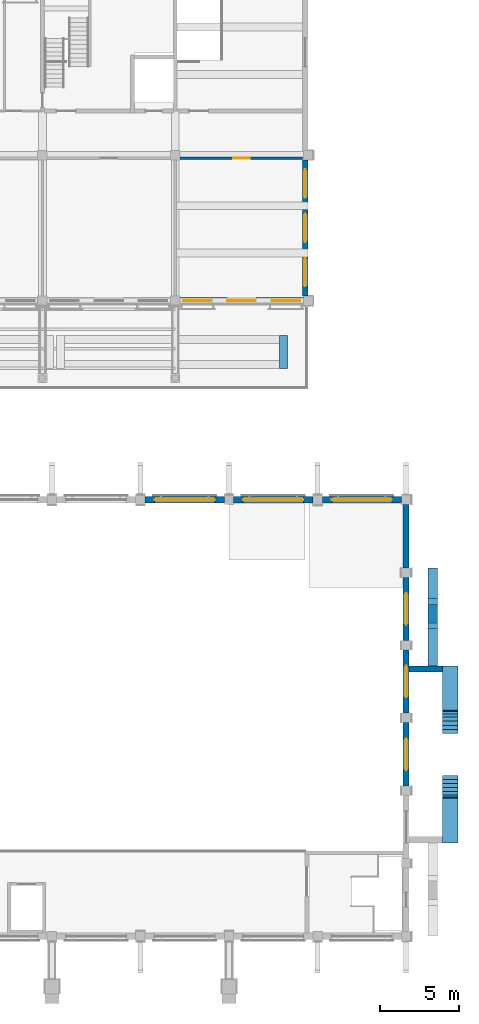
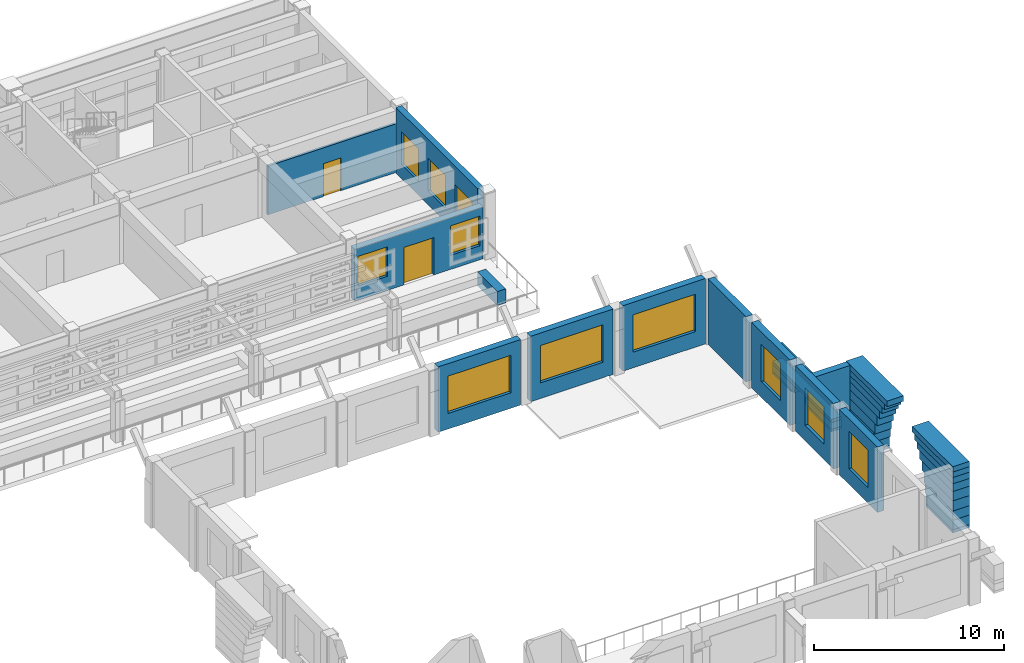
# One storey, part 32 of 68: 36 walls, 11 windows, 2 doors, 13 openings.
"""IFC4 building model written with IfcOpenShell, lengths in metres."""

from ifc_helpers import new_model, si_unit, direction, frame, frame_2d, origin, place, context, subcontext, project, spatial, rectangle, extrude, material, layer, layer_set, type_object, element, fill, save


model = new_model("IFC4")

# Units and contexts
model_context = context("Model", 3, precision=1e-05, world=origin(), true_north=direction((0.0, 1.0)))
body_context = subcontext(model_context, "Body", "Model", "MODEL_VIEW")
ifc_project = project(units=[si_unit("LENGTHUNIT", "METRE"), si_unit("AREAUNIT", "SQUARE_METRE"), si_unit("VOLUMEUNIT", "CUBIC_METRE"), si_unit("PLANEANGLEUNIT", "RADIAN"), si_unit("MASSUNIT", "GRAM", prefix="KILO")], contexts=[model_context])

# Site, building, storey
site_placement = place(None, origin())
site = spatial("IfcSite", under=ifc_project, at=site_placement, CompositionType="ELEMENT")
building_placement = place(site_placement, origin())
building = spatial("IfcBuilding", under=site, at=building_placement, Name="Wasatch Bagh Community Centre", CompositionType="ELEMENT")
storey_placement = place(building_placement, frame((0.0, 0.0, 8.39990234375)))
storey = spatial("IfcBuildingStorey", under=building, at=storey_placement, Name="L02", CompositionType="ELEMENT", Elevation=8.39990234375)

# Wall, openings, windows
ifc_material_1 = material(Name="Concrete C40", Category="concrete")
ifc_layer_1 = layer(ifc_material_1, 0.35009765625)
ifc_layer_set_1 = layer_set([ifc_layer_1], Name="Concrete C40")
wall_type_1 = type_object("IfcWallType", Name="LW end shear wall 350", PredefinedType="SHEAR", material=ifc_layer_set_1)
wall_1_placement = place(storey_placement, frame((139.425048828125, 87.300048828125, 0.0), z_axis=(0.0, 0.0, 1.0), x_axis=(0.0, -1.0, 0.0)))
wall_1 = element("IfcWall", 1, at=wall_1_placement, inside=storey, type_object=wall_type_1, Name="LW.swall.L02.25", PredefinedType="SHEAR", context=body_context, shape_type="SweptSolid", body=[
    extrude(rectangle(XDim=8.60009765625, YDim=0.35009765625, at=frame_2d((4.300048828125, 0.0))), origin(), (0.0, 0.0, 1.0), 4.2001953125),
])
opening_1_placement = place(wall_1_placement, frame((6.199951171875, 0.0, 0.89990234375)))
opening_1 = element("IfcOpeningElement", 2, at=opening_1_placement, cuts=wall_1, Name="Opening 2L-W030", PredefinedType="OPENING", context=body_context, shape_type="SweptSolid", body=[
    extrude(rectangle(XDim=1.800048828125, YDim=2.10009765625, at=frame_2d((0.89990234375, 1.050048828125))), frame((0.0, 0.18505859375, 0.0), z_axis=(0.0, -1.0, 0.0), x_axis=(1.0, 0.0, 0.0)), (0.0, 0.0, 1.0), 0.3701171875),
])
opening_2_placement = place(wall_1_placement, frame((3.39990234375, 0.0, 0.89990234375)))
opening_2 = element("IfcOpeningElement", 3, at=opening_2_placement, cuts=wall_1, Name="Opening 2L-W031", PredefinedType="OPENING", context=body_context, shape_type="SweptSolid", body=[
    extrude(rectangle(XDim=1.800048828125, YDim=2.10009765625, at=frame_2d((0.89990234375, 1.050048828125))), frame((0.0, 0.18505859375, 0.0), z_axis=(0.0, -1.0, 0.0), x_axis=(1.0, 0.0, 0.0)), (0.0, 0.0, 1.0), 0.3701171875),
])
opening_3_placement = place(wall_1_placement, frame((0.60009765625, 0.0, 0.89990234375)))
opening_3 = element("IfcOpeningElement", 4, at=opening_3_placement, cuts=wall_1, Name="Opening 2L-W032", PredefinedType="OPENING", context=body_context, shape_type="SweptSolid", body=[
    extrude(rectangle(XDim=1.800048828125, YDim=2.10009765625, at=frame_2d((0.89990234375, 1.050048828125))), frame((0.0, 0.18505859375, 0.0), z_axis=(0.0, -1.0, 0.0), x_axis=(1.0, 0.0, 0.0)), (0.0, 0.0, 1.0), 0.3701171875),
])
ifc_material_2 = material(Name="Aluminium framed double glazing", Category="aluminium")
window_type_1 = type_object("IfcWindowType", Name="LW window 1800x2100", PartitioningType="SINGLE_PANEL", PredefinedType="WINDOW", material=ifc_material_2)
window_1_placement = place(opening_1_placement, origin())
window_1 = element("IfcWindow", 5, at=window_1_placement, inside=storey, type_object=window_type_1, Name="Window 2L-W030", OverallHeight=2.10009765625, OverallWidth=1.800048828125, PartitioningType="SINGLE_PANEL", PredefinedType="WINDOW", context=body_context, shape_type="SweptSolid", body=[
    extrude(rectangle(XDim=1.800048828125, YDim=2.10009765625, at=frame_2d((0.89990234375, 1.050048828125))), frame((0.0, 0.030029296875, 0.0), z_axis=(0.0, -1.0, 0.0), x_axis=(1.0, 0.0, 0.0)), (0.0, 0.0, 1.0), 0.06005859375),
])
fill(opening_1, window_1)
window_2_placement = place(opening_2_placement, origin())
window_2 = element("IfcWindow", 6, at=window_2_placement, inside=storey, type_object=window_type_1, Name="Window 2L-W031", OverallHeight=2.10009765625, OverallWidth=1.800048828125, PartitioningType="SINGLE_PANEL", PredefinedType="WINDOW", context=body_context, shape_type="SweptSolid", body=[
    extrude(rectangle(XDim=1.800048828125, YDim=2.10009765625, at=frame_2d((0.89990234375, 1.050048828125))), frame((0.0, 0.030029296875, 0.0), z_axis=(0.0, -1.0, 0.0), x_axis=(1.0, 0.0, 0.0)), (0.0, 0.0, 1.0), 0.06005859375),
])
fill(opening_2, window_2)
window_3_placement = place(opening_3_placement, origin())
window_3 = element("IfcWindow", 7, at=window_3_placement, inside=storey, type_object=window_type_1, Name="Window 2L-W032", OverallHeight=2.10009765625, OverallWidth=1.800048828125, PartitioningType="SINGLE_PANEL", PredefinedType="WINDOW", context=body_context, shape_type="SweptSolid", body=[
    extrude(rectangle(XDim=1.800048828125, YDim=2.10009765625, at=frame_2d((0.89990234375, 1.050048828125))), frame((0.0, 0.030029296875, 0.0), z_axis=(0.0, -1.0, 0.0), x_axis=(1.0, 0.0, 0.0)), (0.0, 0.0, 1.0), 0.06005859375),
])
fill(opening_3, window_3)

# Wall, openings, door, windows
ifc_material_3 = material(Name="Concrete C35", Category="concrete")
ifc_layer_2 = layer(ifc_material_3, 0.39990234375)
ifc_layer_set_2 = layer_set([ifc_layer_2], Name="Concrete C35")
wall_type_2 = type_object("IfcWallType", Name="LW facade wall 400", PredefinedType="SOLIDWALL", material=ifc_layer_set_2)
wall_2_placement = place(storey_placement, frame((131.5, 78.39990234375, 0.0), z_axis=(0.0, 0.0, 1.0), x_axis=(1.0, 0.0, 0.0)))
wall_2 = element("IfcWall", 8, at=wall_2_placement, inside=storey, type_object=wall_type_2, Name="Facade wall", PredefinedType="SOLIDWALL", context=body_context, shape_type="SweptSolid", body=[
    extrude(rectangle(XDim=7.800048828125, YDim=0.39990234375, at=frame_2d((3.89990234375, 0.0))), origin(), (0.0, 0.0, 1.0), 3.320068359375),
])
opening_4_placement = place(wall_2_placement, frame((3.0, 0.0, 0.0)))
opening_4 = element("IfcOpeningElement", 9, at=opening_4_placement, cuts=wall_2, Name="Opening 2L-08", PredefinedType="OPENING", context=body_context, shape_type="SweptSolid", body=[
    extrude(rectangle(XDim=1.800048828125, YDim=2.39990234375, at=frame_2d((0.89990234375, 1.199951171875))), frame((0.0, 0.2099609375, 0.0), z_axis=(0.0, -1.0, 0.0), x_axis=(1.0, 0.0, 0.0)), (0.0, 0.0, 1.0), 0.419921875),
])
opening_5_placement = place(wall_2_placement, frame((0.199951171875, 0.0, 0.89990234375)))
opening_5 = element("IfcOpeningElement", 10, at=opening_5_placement, cuts=wall_2, Name="Opening 2L-W015", PredefinedType="OPENING", context=body_context, shape_type="SweptSolid", body=[
    extrude(rectangle(XDim=1.800048828125, YDim=1.89990234375, at=frame_2d((0.89990234375, 0.949951171875))), frame((0.0, 0.2099609375, 0.0), z_axis=(0.0, -1.0, 0.0), x_axis=(1.0, 0.0, 0.0)), (0.0, 0.0, 1.0), 0.419921875),
])
opening_6_placement = place(wall_2_placement, frame((5.800048828125, 0.0, 0.89990234375)))
opening_6 = element("IfcOpeningElement", 11, at=opening_6_placement, cuts=wall_2, Name="Opening 2L-W016", PredefinedType="OPENING", context=body_context, shape_type="SweptSolid", body=[
    extrude(rectangle(XDim=1.800048828125, YDim=1.89990234375, at=frame_2d((0.89990234375, 0.949951171875))), frame((0.0, 0.2099609375, 0.0), z_axis=(0.0, -1.0, 0.0), x_axis=(1.0, 0.0, 0.0)), (0.0, 0.0, 1.0), 0.419921875),
])
ifc_material_4 = material(Name="Aluminium framed glazed door", Category="aluminium")
door_type_1 = type_object("IfcDoorType", Name="LW terrace door pair 1800x2400", OperationType="DOUBLE_DOOR_SINGLE_SWING", PredefinedType="DOOR", material=ifc_material_4)
door_1_placement = place(opening_4_placement, origin())
door_1 = element("IfcDoor", 12, at=door_1_placement, inside=storey, type_object=door_type_1, Name="Terrace door 2L-08", OperationType="DOUBLE_DOOR_SINGLE_SWING", OverallHeight=2.39990234375, OverallWidth=1.800048828125, PredefinedType="DOOR", context=body_context, shape_type="SweptSolid", body=[
    extrude(rectangle(XDim=1.800048828125, YDim=2.39990234375, at=frame_2d((0.89990234375, 1.199951171875))), frame((0.0, 0.02490234375, 0.0), z_axis=(0.0, -1.0, 0.0), x_axis=(1.0, 0.0, 0.0)), (0.0, 0.0, 1.0), 0.050048828125),
])
fill(opening_4, door_1)
window_type_2 = type_object("IfcWindowType", Name="LW window 1800x1900", PartitioningType="SINGLE_PANEL", PredefinedType="WINDOW", material=ifc_material_2)
window_4_placement = place(opening_5_placement, origin())
window_4 = element("IfcWindow", 13, at=window_4_placement, inside=storey, type_object=window_type_2, Name="Window 2L-W015", OverallHeight=1.89990234375, OverallWidth=1.800048828125, PartitioningType="SINGLE_PANEL", PredefinedType="WINDOW", context=body_context, shape_type="SweptSolid", body=[
    extrude(rectangle(XDim=1.800048828125, YDim=1.89990234375, at=frame_2d((0.89990234375, 0.949951171875))), frame((0.0, 0.030029296875, 0.0), z_axis=(0.0, -1.0, 0.0), x_axis=(1.0, 0.0, 0.0)), (0.0, 0.0, 1.0), 0.06005859375),
])
fill(opening_5, window_4)
window_5_placement = place(opening_6_placement, origin())
window_5 = element("IfcWindow", 14, at=window_5_placement, inside=storey, type_object=window_type_2, Name="Window 2L-W016", OverallHeight=1.89990234375, OverallWidth=1.800048828125, PartitioningType="SINGLE_PANEL", PredefinedType="WINDOW", context=body_context, shape_type="SweptSolid", body=[
    extrude(rectangle(XDim=1.800048828125, YDim=1.89990234375, at=frame_2d((0.89990234375, 0.949951171875))), frame((0.0, 0.030029296875, 0.0), z_axis=(0.0, -1.0, 0.0), x_axis=(1.0, 0.0, 0.0)), (0.0, 0.0, 1.0), 0.06005859375),
])
fill(opening_6, window_5)

# Wall, opening, door
ifc_material_5 = material(Name="Gypsum board on steel studs", Category="steel")
ifc_layer_3 = layer(ifc_material_5, 0.14990234375)
ifc_layer_set_3 = layer_set([ifc_layer_3], Name="Gypsum board on steel studs")
wall_type_3 = type_object("IfcWallType", Name="LW partition 150", PredefinedType="PARTITIONING", material=ifc_layer_set_3)
wall_3_placement = place(storey_placement, frame((131.5, 87.39990234375, 0.0), z_axis=(0.0, 0.0, 1.0), x_axis=(1.0, 0.0, 0.0)))
wall_3 = element("IfcWall", 15, at=wall_3_placement, inside=storey, type_object=wall_type_3, Name="LW.part.L02.005", PredefinedType="PARTITIONING", context=body_context, shape_type="SweptSolid", body=[
    extrude(rectangle(XDim=7.75, YDim=0.14990234375, at=frame_2d((3.875, 0.0))), origin(), (0.0, 0.0, 1.0), 3.1201171875),
])
opening_7_placement = place(wall_3_placement, frame((3.375, 0.0, 0.0)))
opening_7 = element("IfcOpeningElement", 16, at=opening_7_placement, cuts=wall_3, Name="Opening 2L-16", PredefinedType="OPENING", context=body_context, shape_type="SweptSolid", body=[
    extrude(rectangle(XDim=1.050048828125, YDim=2.10009765625, at=frame_2d((0.52490234375, 1.050048828125))), frame((0.0, 0.0849609375, 0.0), z_axis=(0.0, -1.0, 0.0), x_axis=(1.0, 0.0, 0.0)), (0.0, 0.0, 1.0), 0.169921875),
])
ifc_material_6 = material(Name="Painted timber", Category="wood")
door_type_2 = type_object("IfcDoorType", Name="LW classroom door 1050x2100", OperationType="SINGLE_SWING_LEFT", PredefinedType="DOOR", material=ifc_material_6)
door_2_placement = place(opening_7_placement, origin())
door_2 = element("IfcDoor", 17, at=door_2_placement, inside=storey, type_object=door_type_2, Name="Door Classroom 8 2L-16", OperationType="SINGLE_SWING_RIGHT", OverallHeight=2.10009765625, OverallWidth=1.050048828125, PredefinedType="DOOR", context=body_context, shape_type="SweptSolid", body=[
    extrude(rectangle(XDim=1.050048828125, YDim=2.10009765625, at=frame_2d((0.52490234375, 1.050048828125))), frame((0.0, 0.02490234375, 0.0), z_axis=(0.0, -1.0, 0.0), x_axis=(1.0, 0.0, 0.0)), (0.0, 0.0, 1.0), 0.050048828125),
])
fill(opening_7, door_2)

# Wall
ifc_layer_4 = layer(ifc_material_3, 0.5)
ifc_layer_set_4 = layer_set([ifc_layer_4], Name="Concrete C35")
wall_type_4 = type_object("IfcWallType", Name="LW planter trough wall 500", PredefinedType="SOLIDWALL", material=ifc_layer_set_4)
wall_4_placement = place(storey_placement, frame((138.050048828125, 74.10009765625, 0.0), z_axis=(0.0, 0.0, 1.0), x_axis=(0.0, 1.0, 0.0)))
element("IfcWall", 18, at=wall_4_placement, inside=storey, type_object=wall_type_4, Name="Planter wall T2", PredefinedType="SOLIDWALL", context=body_context, shape_type="SweptSolid", body=[
    extrude(rectangle(XDim=2.099853515625, YDim=0.5, at=frame_2d((1.0498046875, 0.0))), origin(), (0.0, 0.0, 1.0), 0.900146484375),
])

# Wall, opening, window
ifc_layer_5 = layer(ifc_material_1, 0.39990234375)
ifc_layer_set_5 = layer_set([ifc_layer_5], Name="Concrete C40")
wall_type_5 = type_object("IfcWallType", Name="SH RC WALL 400 solidwall", PredefinedType="SOLIDWALL", material=ifc_layer_set_5)
wall_5_placement = place(storey_placement, frame((129.300048828125, 65.800048828125, 0.0), z_axis=(0.0, 0.0, 1.0), x_axis=(1.0, 0.0, 0.0)))
wall_5 = element("IfcWall", 19, at=wall_5_placement, inside=storey, type_object=wall_type_5, Name="SH.wall.L02.10", PredefinedType="SOLIDWALL", context=body_context, shape_type="SweptSolid", body=[
    extrude(rectangle(XDim=5.0, YDim=0.39990234375, at=frame_2d((2.5, 0.0))), origin(), (0.0, 0.0, 1.0), 4.2001953125),
])
opening_8_placement = place(wall_5_placement, frame((0.60009765625, 0.0, 1.0)))
opening_8 = element("IfcOpeningElement", 20, at=opening_8_placement, cuts=wall_5, Name="Opening 2S-W20", PredefinedType="OPENING", context=body_context, shape_type="SweptSolid", body=[
    extrude(rectangle(XDim=3.800048828125, YDim=2.39990234375, at=frame_2d((1.89990234375, 1.199951171875))), frame((0.0, 0.2099609375, 0.0), z_axis=(0.0, -1.0, 0.0), x_axis=(1.0, 0.0, 0.0)), (0.0, 0.0, 1.0), 0.419921875),
])
ifc_material_7 = material(Name="Aluminium frame with double glazing", Category="aluminium")
window_type_3 = type_object("IfcWindowType", Name="SH window 3800x2400", PartitioningType="SINGLE_PANEL", PredefinedType="WINDOW", material=ifc_material_7)
window_6_placement = place(opening_8_placement, origin())
window_6 = element("IfcWindow", 21, at=window_6_placement, inside=storey, type_object=window_type_3, Name="SH.window.L02.2S-W20", OverallHeight=2.39990234375, OverallWidth=3.800048828125, PartitioningType="SINGLE_PANEL", PredefinedType="WINDOW", context=body_context, shape_type="SweptSolid", body=[
    extrude(rectangle(XDim=3.800048828125, YDim=2.39990234375, at=frame_2d((1.89990234375, 1.199951171875))), frame((0.0, 0.030029296875, 0.0), z_axis=(0.0, -1.0, 0.0), x_axis=(1.0, 0.0, 0.0)), (0.0, 0.0, 1.0), 0.06005859375),
])
fill(opening_8, window_6)

wall_6_placement = place(storey_placement, frame((134.89990234375, 65.800048828125, 0.0), z_axis=(0.0, 0.0, 1.0), x_axis=(1.0, 0.0, 0.0)))
wall_6 = element("IfcWall", 22, at=wall_6_placement, inside=storey, type_object=wall_type_5, Name="SH.wall.L02.11", PredefinedType="SOLIDWALL", context=body_context, shape_type="SweptSolid", body=[
    extrude(rectangle(XDim=5.0, YDim=0.39990234375, at=frame_2d((2.5, 0.0))), origin(), (0.0, 0.0, 1.0), 4.2001953125),
])
opening_9_placement = place(wall_6_placement, frame((0.60009765625, 0.0, 1.0)))
opening_9 = element("IfcOpeningElement", 23, at=opening_9_placement, cuts=wall_6, Name="Opening 2S-W21", PredefinedType="OPENING", context=body_context, shape_type="SweptSolid", body=[
    extrude(rectangle(XDim=3.800048828125, YDim=2.39990234375, at=frame_2d((1.89990234375, 1.199951171875))), frame((0.0, 0.2099609375, 0.0), z_axis=(0.0, -1.0, 0.0), x_axis=(1.0, 0.0, 0.0)), (0.0, 0.0, 1.0), 0.419921875),
])
window_7_placement = place(opening_9_placement, origin())
window_7 = element("IfcWindow", 24, at=window_7_placement, inside=storey, type_object=window_type_3, Name="SH.window.L02.2S-W21", OverallHeight=2.39990234375, OverallWidth=3.800048828125, PartitioningType="SINGLE_PANEL", PredefinedType="WINDOW", context=body_context, shape_type="SweptSolid", body=[
    extrude(rectangle(XDim=3.800048828125, YDim=2.39990234375, at=frame_2d((1.89990234375, 1.199951171875))), frame((0.0, 0.030029296875, 0.0), z_axis=(0.0, -1.0, 0.0), x_axis=(1.0, 0.0, 0.0)), (0.0, 0.0, 1.0), 0.06005859375),
])
fill(opening_9, window_7)

wall_7_placement = place(storey_placement, frame((140.5, 65.800048828125, 0.0), z_axis=(0.0, 0.0, 1.0), x_axis=(1.0, 0.0, 0.0)))
wall_7 = element("IfcWall", 25, at=wall_7_placement, inside=storey, type_object=wall_type_5, Name="SH.wall.L02.12", PredefinedType="SOLIDWALL", context=body_context, shape_type="SweptSolid", body=[
    extrude(rectangle(XDim=5.0, YDim=0.39990234375, at=frame_2d((2.5, 0.0))), origin(), (0.0, 0.0, 1.0), 4.2001953125),
])
opening_10_placement = place(wall_7_placement, frame((0.60009765625, 0.0, 1.0)))
opening_10 = element("IfcOpeningElement", 26, at=opening_10_placement, cuts=wall_7, Name="Opening 2S-W22", PredefinedType="OPENING", context=body_context, shape_type="SweptSolid", body=[
    extrude(rectangle(XDim=3.800048828125, YDim=2.39990234375, at=frame_2d((1.89990234375, 1.199951171875))), frame((0.0, 0.2099609375, 0.0), z_axis=(0.0, -1.0, 0.0), x_axis=(1.0, 0.0, 0.0)), (0.0, 0.0, 1.0), 0.419921875),
])
window_8_placement = place(opening_10_placement, origin())
window_8 = element("IfcWindow", 27, at=window_8_placement, inside=storey, type_object=window_type_3, Name="SH.window.L02.2S-W22", OverallHeight=2.39990234375, OverallWidth=3.800048828125, PartitioningType="SINGLE_PANEL", PredefinedType="WINDOW", context=body_context, shape_type="SweptSolid", body=[
    extrude(rectangle(XDim=3.800048828125, YDim=2.39990234375, at=frame_2d((1.89990234375, 1.199951171875))), frame((0.0, 0.030029296875, 0.0), z_axis=(0.0, -1.0, 0.0), x_axis=(1.0, 0.0, 0.0)), (0.0, 0.0, 1.0), 0.06005859375),
])
fill(opening_10, window_8)

wall_8_placement = place(storey_placement, frame((145.800048828125, 47.699951171875, 0.0), z_axis=(0.0, 0.0, 1.0), x_axis=(0.0, 1.0, 0.0)))
wall_8 = element("IfcWall", 28, at=wall_8_placement, inside=storey, type_object=wall_type_5, Name="SH.wall.L02.21", PredefinedType="SOLIDWALL", context=body_context, shape_type="SweptSolid", body=[
    extrude(rectangle(XDim=4.0, YDim=0.39990234375, at=frame_2d((2.0, 0.0))), origin(), (0.0, 0.0, 1.0), 4.2001953125),
])
opening_11_placement = place(wall_8_placement, frame((1.0, 0.0, 1.0)))
opening_11 = element("IfcOpeningElement", 29, at=opening_11_placement, cuts=wall_8, Name="Opening 2S-W08", PredefinedType="OPENING", context=body_context, shape_type="SweptSolid", body=[
    extrude(rectangle(XDim=2.0, YDim=2.39990234375, at=frame_2d((1.0, 1.199951171875))), frame((0.0, 0.2099609375, 0.0), z_axis=(0.0, -1.0, 0.0), x_axis=(1.0, 0.0, 0.0)), (0.0, 0.0, 1.0), 0.419921875),
])
window_type_4 = type_object("IfcWindowType", Name="SH window 2000x2400", PartitioningType="SINGLE_PANEL", PredefinedType="WINDOW", material=ifc_material_7)
window_9_placement = place(opening_11_placement, origin())
window_9 = element("IfcWindow", 30, at=window_9_placement, inside=storey, type_object=window_type_4, Name="SH.window.L02.2S-W08", OverallHeight=2.39990234375, OverallWidth=2.0, PartitioningType="SINGLE_PANEL", PredefinedType="WINDOW", context=body_context, shape_type="SweptSolid", body=[
    extrude(rectangle(XDim=2.0, YDim=2.39990234375, at=frame_2d((1.0, 1.199951171875))), frame((0.0, 0.030029296875, 0.0), z_axis=(0.0, -1.0, 0.0), x_axis=(1.0, 0.0, 0.0)), (0.0, 0.0, 1.0), 0.06005859375),
])
fill(opening_11, window_9)

wall_9_placement = place(storey_placement, frame((145.800048828125, 52.300048828125, 0.0), z_axis=(0.0, 0.0, 1.0), x_axis=(0.0, 1.0, 0.0)))
wall_9 = element("IfcWall", 31, at=wall_9_placement, inside=storey, type_object=wall_type_5, Name="SH.wall.L02.22", PredefinedType="SOLIDWALL", context=body_context, shape_type="SweptSolid", body=[
    extrude(rectangle(XDim=4.0, YDim=0.39990234375, at=frame_2d((2.0, 0.0))), origin(), (0.0, 0.0, 1.0), 4.2001953125),
])
opening_12_placement = place(wall_9_placement, frame((1.0, 0.0, 1.0)))
opening_12 = element("IfcOpeningElement", 32, at=opening_12_placement, cuts=wall_9, Name="Opening 2S-W09", PredefinedType="OPENING", context=body_context, shape_type="SweptSolid", body=[
    extrude(rectangle(XDim=2.0, YDim=2.39990234375, at=frame_2d((1.0, 1.199951171875))), frame((0.0, 0.2099609375, 0.0), z_axis=(0.0, -1.0, 0.0), x_axis=(1.0, 0.0, 0.0)), (0.0, 0.0, 1.0), 0.419921875),
])
window_10_placement = place(opening_12_placement, origin())
window_10 = element("IfcWindow", 33, at=window_10_placement, inside=storey, type_object=window_type_4, Name="SH.window.L02.2S-W09", OverallHeight=2.39990234375, OverallWidth=2.0, PartitioningType="SINGLE_PANEL", PredefinedType="WINDOW", context=body_context, shape_type="SweptSolid", body=[
    extrude(rectangle(XDim=2.0, YDim=2.39990234375, at=frame_2d((1.0, 1.199951171875))), frame((0.0, 0.030029296875, 0.0), z_axis=(0.0, -1.0, 0.0), x_axis=(1.0, 0.0, 0.0)), (0.0, 0.0, 1.0), 0.06005859375),
])
fill(opening_12, window_10)

wall_10_placement = place(storey_placement, frame((145.800048828125, 56.89990234375, 0.0), z_axis=(0.0, 0.0, 1.0), x_axis=(0.0, 1.0, 0.0)))
wall_10 = element("IfcWall", 34, at=wall_10_placement, inside=storey, type_object=wall_type_5, Name="SH.wall.L02.23", PredefinedType="SOLIDWALL", context=body_context, shape_type="SweptSolid", body=[
    extrude(rectangle(XDim=4.0, YDim=0.39990234375, at=frame_2d((2.0, 0.0))), origin(), (0.0, 0.0, 1.0), 4.2001953125),
])
opening_13_placement = place(wall_10_placement, frame((1.0, 0.0, 1.0)))
opening_13 = element("IfcOpeningElement", 35, at=opening_13_placement, cuts=wall_10, Name="Opening 2S-W10", PredefinedType="OPENING", context=body_context, shape_type="SweptSolid", body=[
    extrude(rectangle(XDim=2.0, YDim=2.39990234375, at=frame_2d((1.0, 1.199951171875))), frame((0.0, 0.2099609375, 0.0), z_axis=(0.0, -1.0, 0.0), x_axis=(1.0, 0.0, 0.0)), (0.0, 0.0, 1.0), 0.419921875),
])
window_11_placement = place(opening_13_placement, origin())
window_11 = element("IfcWindow", 36, at=window_11_placement, inside=storey, type_object=window_type_4, Name="SH.window.L02.2S-W10", OverallHeight=2.39990234375, OverallWidth=2.0, PartitioningType="SINGLE_PANEL", PredefinedType="WINDOW", context=body_context, shape_type="SweptSolid", body=[
    extrude(rectangle(XDim=2.0, YDim=2.39990234375, at=frame_2d((1.0, 1.199951171875))), frame((0.0, 0.030029296875, 0.0), z_axis=(0.0, -1.0, 0.0), x_axis=(1.0, 0.0, 0.0)), (0.0, 0.0, 1.0), 0.06005859375),
])
fill(opening_13, window_11)

# Walls
wall_11_placement = place(storey_placement, frame((145.800048828125, 61.5, 0.0), z_axis=(0.0, 0.0, 1.0), x_axis=(0.0, 1.0, 0.0)))
element("IfcWall", 37, at=wall_11_placement, inside=storey, type_object=wall_type_5, Name="SH.wall.L02.24", PredefinedType="SOLIDWALL", context=body_context, shape_type="SweptSolid", body=[
    extrude(rectangle(XDim=4.0, YDim=0.39990234375, at=frame_2d((2.0, 0.0))), origin(), (0.0, 0.0, 1.0), 4.2001953125),
])
ifc_layer_6 = layer(ifc_material_1, 0.60009765625)
ifc_layer_set_6 = layer_set([ifc_layer_6], Name="Concrete C40")
wall_type_6 = type_object("IfcWallType", Name="SHB-W4", PredefinedType="STANDARD", material=ifc_layer_set_6)
wall_12_placement = place(storey_placement, frame((147.5, 55.300048828125, 0.0), z_axis=(0.0, 0.0, 1.0), x_axis=(0.0, 1.0, 0.0)))
element("IfcWall", 38, at=wall_12_placement, inside=storey, type_object=wall_type_6, Name="SHB-W4 gable arcade bay arch spandrel", PredefinedType="STANDARD", context=body_context, shape_type="SweptSolid", body=[
    extrude(rectangle(XDim=2.353271484375, YDim=0.60009765625, at=frame_2d((1.1767578125, 0.0))), origin(), (0.0, 0.0, 1.0), 0.150146484375),
])
wall_13_placement = place(storey_placement, frame((147.5, 61.5, 0.0), z_axis=(0.0, 0.0, 1.0), x_axis=(0.0, -1.0, 0.0)))
element("IfcWall", 39, at=wall_13_placement, inside=storey, type_object=wall_type_6, Name="SHB-W4 gable arcade bay arch spandrel", PredefinedType="STANDARD", context=body_context, shape_type="SweptSolid", body=[
    extrude(rectangle(XDim=1.953369140625, YDim=0.60009765625, at=frame_2d((0.9765625, 0.0))), origin(), (0.0, 0.0, 1.0), 0.150146484375),
])
wall_14_placement = place(storey_placement, frame((147.5, 55.300048828125, 0.150146484375), z_axis=(0.0, 0.0, 1.0), x_axis=(0.0, 1.0, 0.0)))
element("IfcWall", 40, at=wall_14_placement, inside=storey, type_object=wall_type_6, Name="SHB-W4 gable arcade bay arch spandrel", PredefinedType="STANDARD", context=body_context, shape_type="SweptSolid", body=[
    extrude(rectangle(XDim=2.715087890625, YDim=0.60009765625, at=frame_2d((1.357421875, 0.0))), origin(), (0.0, 0.0, 1.0), 0.449951171875),
])
wall_15_placement = place(storey_placement, frame((147.5, 61.5, 0.150146484375), z_axis=(0.0, 0.0, 1.0), x_axis=(0.0, -1.0, 0.0)))
element("IfcWall", 41, at=wall_15_placement, inside=storey, type_object=wall_type_6, Name="SHB-W4 gable arcade bay arch spandrel", PredefinedType="STANDARD", context=body_context, shape_type="SweptSolid", body=[
    extrude(rectangle(XDim=2.31494140625, YDim=0.60009765625, at=frame_2d((1.157470703125, 0.0))), origin(), (0.0, 0.0, 1.0), 0.449951171875),
])
wall_16_placement = place(storey_placement, frame((147.5, 55.300048828125, 0.60009765625), z_axis=(0.0, 0.0, 1.0), x_axis=(0.0, 1.0, 0.0)))
element("IfcWall", 42, at=wall_16_placement, inside=storey, type_object=wall_type_6, Name="SHB-W4 gable arcade bay arch spandrel", PredefinedType="STANDARD", context=body_context, shape_type="SweptSolid", body=[
    extrude(rectangle(XDim=6.199951171875, YDim=0.60009765625, at=frame_2d((3.10009765625, 0.0))), origin(), (0.0, 0.0, 1.0), 0.199951171875),
])
wall_17_placement = place(storey_placement, frame((147.5, 55.300048828125, 0.800048828125), z_axis=(0.0, 0.0, 1.0), x_axis=(0.0, 1.0, 0.0)))
element("IfcWall", 43, at=wall_17_placement, inside=storey, type_object=wall_type_6, Name="SHB-W4 gable arcade bay arch band", PredefinedType="STANDARD", context=body_context, shape_type="SweptSolid", body=[
    extrude(rectangle(XDim=6.199951171875, YDim=0.60009765625, at=frame_2d((3.10009765625, 0.0))), origin(), (0.0, 0.0, 1.0), 1.0),
])
ifc_layer_7 = layer(ifc_material_1, 1.0)
ifc_layer_set_7 = layer_set([ifc_layer_7], Name="Concrete C40")
wall_type_7 = type_object("IfcWallType", Name="SHEQ-W4", PredefinedType="STANDARD", material=ifc_layer_set_7)
wall_18_placement = place(storey_placement, frame((148.60009765625, 55.300048828125, 0.0), z_axis=(0.0, 0.0, 1.0), x_axis=(0.0, -1.0, 0.0)))
element("IfcWall", 44, at=wall_18_placement, inside=storey, type_object=wall_type_7, Name="SHEQ-W4 iwan arch spandrel", PredefinedType="STANDARD", context=body_context, shape_type="SweptSolid", body=[
    extrude(rectangle(XDim=2.800048828125, YDim=1.0, at=frame_2d((1.39990234375, 0.0))), origin(), (0.0, 0.0, 1.0), 0.2001953125),
])
wall_19_placement = place(storey_placement, frame((148.60009765625, 44.10009765625, 0.0), z_axis=(0.0, 0.0, 1.0), x_axis=(0.0, 1.0, 0.0)))
element("IfcWall", 45, at=wall_19_placement, inside=storey, type_object=wall_type_7, Name="SHEQ-W4 iwan arch spandrel", PredefinedType="STANDARD", context=body_context, shape_type="SweptSolid", body=[
    extrude(rectangle(XDim=2.7998046875, YDim=1.0, at=frame_2d((1.39990234375, 0.0))), origin(), (0.0, 0.0, 1.0), 0.2001953125),
])
wall_20_placement = place(storey_placement, frame((148.60009765625, 55.300048828125, 0.2001953125), z_axis=(0.0, 0.0, 1.0), x_axis=(0.0, -1.0, 0.0)))
element("IfcWall", 46, at=wall_20_placement, inside=storey, type_object=wall_type_7, Name="SHEQ-W4 iwan arch spandrel", PredefinedType="STANDARD", context=body_context, shape_type="SweptSolid", body=[
    extrude(rectangle(XDim=2.825927734375, YDim=1.0, at=frame_2d((1.4130859375, 0.0))), origin(), (0.0, 0.0, 1.0), 0.599853515625),
])
wall_21_placement = place(storey_placement, frame((148.60009765625, 44.10009765625, 0.2001953125), z_axis=(0.0, 0.0, 1.0), x_axis=(0.0, 1.0, 0.0)))
element("IfcWall", 47, at=wall_21_placement, inside=storey, type_object=wall_type_7, Name="SHEQ-W4 iwan arch spandrel", PredefinedType="STANDARD", context=body_context, shape_type="SweptSolid", body=[
    extrude(rectangle(XDim=2.82568359375, YDim=1.0, at=frame_2d((1.412841796875, 0.0))), origin(), (0.0, 0.0, 1.0), 0.599853515625),
])
for number, where, z_axis, x_axis, name in (
    (48, (148.60009765625, 55.300048828125, 0.800048828125), (0.0, 0.0, 1.0), (0.0, -1.0, 0.0), "SHEQ-W4 iwan arch spandrel"),
    (49, (148.60009765625, 44.10009765625, 0.800048828125), (0.0, 0.0, 1.0), (0.0, 1.0, 0.0), "SHEQ-W4 iwan arch spandrel"),
):
    element("IfcWall", number, at=place(storey_placement, frame(where, z_axis=z_axis, x_axis=x_axis)), inside=storey, type_object=wall_type_7, Name=name, PredefinedType="STANDARD", context=body_context, shape_type="SweptSolid", body=[
        extrude(rectangle(XDim=2.903564453125, YDim=1.0, at=frame_2d((1.45166015625, 0.0))), origin(), (0.0, 0.0, 1.0), 0.60009765625),
    ])
for number, where, z_axis, x_axis, name in (
    (50, (148.60009765625, 55.300048828125, 1.400146484375), (0.0, 0.0, 1.0), (0.0, -1.0, 0.0), "SHEQ-W4 iwan arch spandrel"),
    (51, (148.60009765625, 44.10009765625, 1.400146484375), (0.0, 0.0, 1.0), (0.0, 1.0, 0.0), "SHEQ-W4 iwan arch spandrel"),
):
    element("IfcWall", number, at=place(storey_placement, frame(where, z_axis=z_axis, x_axis=x_axis)), inside=storey, type_object=wall_type_7, Name=name, PredefinedType="STANDARD", context=body_context, shape_type="SweptSolid", body=[
        extrude(rectangle(XDim=3.035400390625, YDim=1.0, at=frame_2d((1.517578125, 0.0))), origin(), (0.0, 0.0, 1.0), 0.64990234375),
    ])
wall_22_placement = place(storey_placement, frame((148.60009765625, 55.300048828125, 2.050048828125), z_axis=(0.0, 0.0, 1.0), x_axis=(0.0, -1.0, 0.0)))
element("IfcWall", 52, at=wall_22_placement, inside=storey, type_object=wall_type_7, Name="SHEQ-W4 iwan arch spandrel", PredefinedType="STANDARD", context=body_context, shape_type="SweptSolid", body=[
    extrude(rectangle(XDim=3.242919921875, YDim=1.0, at=frame_2d((1.62158203125, 0.0))), origin(), (0.0, 0.0, 1.0), 0.60009765625),
])
wall_23_placement = place(storey_placement, frame((148.60009765625, 44.10009765625, 2.050048828125), z_axis=(0.0, 0.0, 1.0), x_axis=(0.0, 1.0, 0.0)))
element("IfcWall", 53, at=wall_23_placement, inside=storey, type_object=wall_type_7, Name="SHEQ-W4 iwan arch spandrel", PredefinedType="STANDARD", context=body_context, shape_type="SweptSolid", body=[
    extrude(rectangle(XDim=3.24267578125, YDim=1.0, at=frame_2d((1.621337890625, 0.0))), origin(), (0.0, 0.0, 1.0), 0.60009765625),
])
wall_24_placement = place(storey_placement, frame((148.60009765625, 55.300048828125, 2.650146484375), z_axis=(0.0, 0.0, 1.0), x_axis=(0.0, -1.0, 0.0)))
element("IfcWall", 54, at=wall_24_placement, inside=storey, type_object=wall_type_7, Name="SHEQ-W4 iwan arch spandrel", PredefinedType="STANDARD", context=body_context, shape_type="SweptSolid", body=[
    extrude(rectangle(XDim=3.49951171875, YDim=1.0, at=frame_2d((1.749755859375, 0.0))), origin(), (0.0, 0.0, 1.0), 0.5),
])
wall_25_placement = place(storey_placement, frame((148.60009765625, 44.10009765625, 2.650146484375), z_axis=(0.0, 0.0, 1.0), x_axis=(0.0, 1.0, 0.0)))
element("IfcWall", 55, at=wall_25_placement, inside=storey, type_object=wall_type_7, Name="SHEQ-W4 iwan arch spandrel", PredefinedType="STANDARD", context=body_context, shape_type="SweptSolid", body=[
    extrude(rectangle(XDim=3.499267578125, YDim=1.0, at=frame_2d((1.74951171875, 0.0))), origin(), (0.0, 0.0, 1.0), 0.5),
])
wall_26_placement = place(storey_placement, frame((148.60009765625, 55.300048828125, 3.150146484375), z_axis=(0.0, 0.0, 1.0), x_axis=(0.0, -1.0, 0.0)))
element("IfcWall", 56, at=wall_26_placement, inside=storey, type_object=wall_type_7, Name="SHEQ-W4 iwan arch spandrel", PredefinedType="STANDARD", context=body_context, shape_type="SweptSolid", body=[
    extrude(rectangle(XDim=3.76708984375, YDim=1.0, at=frame_2d((1.883544921875, 0.0))), origin(), (0.0, 0.0, 1.0), 0.39990234375),
])
wall_27_placement = place(storey_placement, frame((148.60009765625, 44.10009765625, 3.150146484375), z_axis=(0.0, 0.0, 1.0), x_axis=(0.0, 1.0, 0.0)))
element("IfcWall", 57, at=wall_27_placement, inside=storey, type_object=wall_type_7, Name="SHEQ-W4 iwan arch spandrel", PredefinedType="STANDARD", context=body_context, shape_type="SweptSolid", body=[
    extrude(rectangle(XDim=3.766845703125, YDim=1.0, at=frame_2d((1.88330078125, 0.0))), origin(), (0.0, 0.0, 1.0), 0.39990234375),
])
wall_28_placement = place(storey_placement, frame((148.60009765625, 55.300048828125, 3.550048828125), z_axis=(0.0, 0.0, 1.0), x_axis=(0.0, -1.0, 0.0)))
element("IfcWall", 58, at=wall_28_placement, inside=storey, type_object=wall_type_7, Name="SHEQ-W4 iwan arch spandrel", PredefinedType="STANDARD", context=body_context, shape_type="SweptSolid", body=[
    extrude(rectangle(XDim=4.02099609375, YDim=1.0, at=frame_2d((2.010498046875, 0.0))), origin(), (0.0, 0.0, 1.0), 0.35009765625),
])
wall_29_placement = place(storey_placement, frame((148.60009765625, 44.10009765625, 3.550048828125), z_axis=(0.0, 0.0, 1.0), x_axis=(0.0, 1.0, 0.0)))
element("IfcWall", 59, at=wall_29_placement, inside=storey, type_object=wall_type_7, Name="SHEQ-W4 iwan arch spandrel", PredefinedType="STANDARD", context=body_context, shape_type="SweptSolid", body=[
    extrude(rectangle(XDim=4.020751953125, YDim=1.0, at=frame_2d((2.01025390625, 0.0))), origin(), (0.0, 0.0, 1.0), 0.35009765625),
])
for number, where, z_axis, x_axis, name in (
    (60, (148.60009765625, 55.300048828125, 3.900146484375), (0.0, 0.0, 1.0), (0.0, -1.0, 0.0), "SHEQ-W4 iwan arch spandrel"),
    (61, (148.60009765625, 44.10009765625, 3.900146484375), (0.0, 0.0, 1.0), (0.0, 1.0, 0.0), "SHEQ-W4 iwan arch spandrel"),
):
    element("IfcWall", number, at=place(storey_placement, frame(where, z_axis=z_axis, x_axis=x_axis)), inside=storey, type_object=wall_type_7, Name=name, PredefinedType="STANDARD", context=body_context, shape_type="SweptSolid", body=[
        extrude(rectangle(XDim=4.2763671875, YDim=1.0, at=frame_2d((2.13818359375, 0.0))), origin(), (0.0, 0.0, 1.0), 0.349853515625),
    ])
ifc_layer_8 = layer(ifc_material_1, 0.39990234375)
ifc_layer_set_8 = layer_set([ifc_layer_8], Name="Concrete C40")
wall_type_8 = type_object("IfcWallType", Name="SHEQ-W5", PredefinedType="STANDARD", material=ifc_layer_set_8)
wall_30_placement = place(storey_placement, frame((148.10009765625, 55.10009765625, 0.0), z_axis=(0.0, 0.0, 1.0), x_axis=(-1.0, 0.0, 0.0)))
element("IfcWall", 62, at=wall_30_placement, inside=storey, type_object=wall_type_8, Name="SHEQ-W5 pishtaq return wall W", PredefinedType="STANDARD", context=body_context, shape_type="SweptSolid", body=[
    extrude(rectangle(XDim=2.10009765625, YDim=0.39990234375, at=frame_2d((1.050048828125, 0.0))), origin(), (0.0, 0.0, 1.0), 4.2001953125),
])

save(model, "model.ifc")
